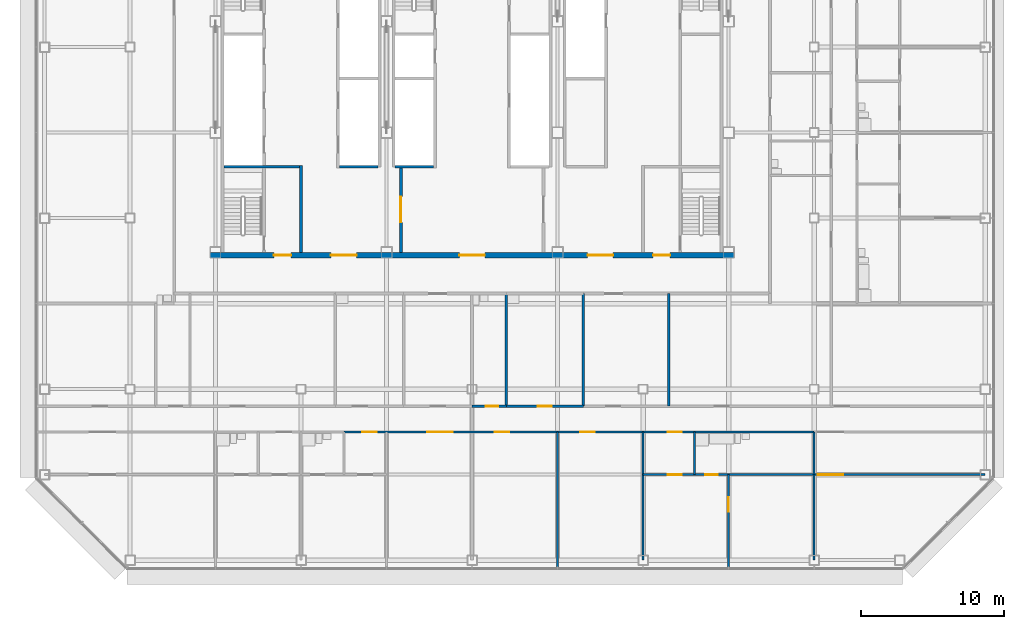
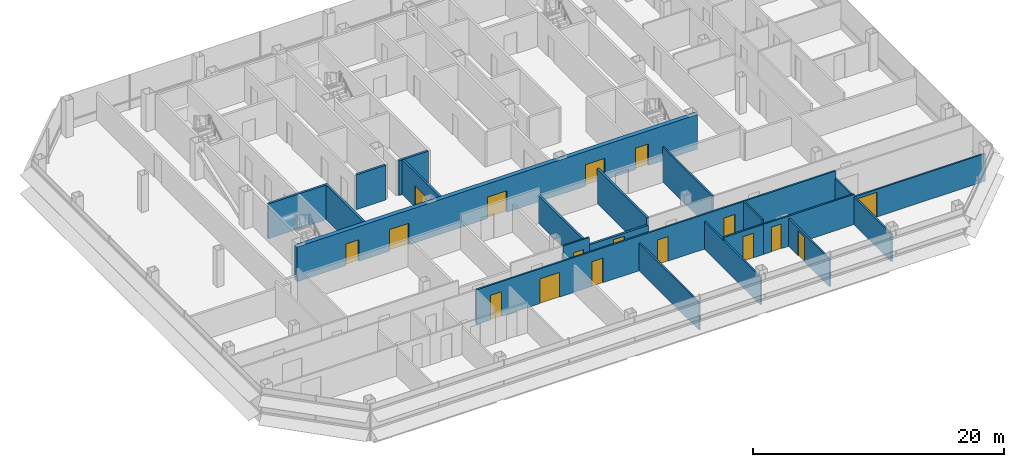
# One storey, part 20 of 26: 22 walls, 17 doors, 17 openings.
"""IFC4 building model written with IfcOpenShell, lengths in metres."""

from ifc_helpers import new_model, si_unit, direction, frame, frame_2d, origin, place, context, subcontext, project, spatial, rectangle, extrude, material, layer, layer_set, type_object, element, fill, save


model = new_model("IFC4")

# Units and contexts
model_context = context("Model", 3, precision=1e-05, world=origin(), true_north=direction((0.0, 1.0)))
body_context = subcontext(model_context, "Body", "Model", "MODEL_VIEW")
ifc_project = project(units=[si_unit("LENGTHUNIT", "METRE"), si_unit("AREAUNIT", "SQUARE_METRE"), si_unit("VOLUMEUNIT", "CUBIC_METRE"), si_unit("PLANEANGLEUNIT", "RADIAN"), si_unit("MASSUNIT", "GRAM", prefix="KILO")], contexts=[model_context])

# Site, building, storey
site_placement = place(None, origin())
site = spatial("IfcSite", under=ifc_project, at=site_placement, CompositionType="ELEMENT")
building_placement = place(site_placement, origin())
building = spatial("IfcBuilding", under=site, at=building_placement, Name="Sorahane Residences", CompositionType="ELEMENT")
storey_placement = place(building_placement, frame((0.0, 0.0, 158.199951171875)))
storey = spatial("IfcBuildingStorey", under=building, at=storey_placement, Name="L36", CompositionType="ELEMENT", Elevation=158.199951171875)

# Walls
ifc_material_1 = material(Name="Concrete C30", Category="concrete")
ifc_layer_1 = layer(ifc_material_1, 0.199951171875)
ifc_layer_set_1 = layer_set([ifc_layer_1], Name="Front room wall 200 EI 120")
wall_type_1 = type_object("IfcWallType", Name="Front room wall 200 EI 120", PredefinedType="PARTITIONING", material=ifc_layer_set_1)
wall_1_placement = place(storey_placement, frame((12.0, 21.60009765625, 0.0), z_axis=(0.0, 0.0, 1.0), x_axis=(0.0, 1.0, 0.0)))
element("IfcWall", 1, at=wall_1_placement, inside=storey, type_object=wall_type_1, Name="L36 front room wall", PredefinedType="PARTITIONING", context=body_context, shape_type="SweptSolid", body=[
    extrude(rectangle(XDim=6.099853515625, YDim=0.199951171875, at=frame_2d((3.0498046875, 0.0))), origin(), (0.0, 0.0, 1.0), 3.380126953125),
])
ifc_material_2 = material(Name="Concrete blockwork C20 wall", Category="masonry")
ifc_layer_2 = layer(ifc_material_2, 0.199951171875)
ifc_layer_set_2 = layer_set([ifc_layer_2], Name="Kitchen wall 200 EI 180")
wall_type_2 = type_object("IfcWallType", Name="Kitchen wall 200 EI 180", PredefinedType="SOLIDWALL", material=ifc_layer_set_2)
wall_2_placement = place(storey_placement, frame((26.39990234375, 10.800048828125, 0.0), z_axis=(0.0, 0.0, 1.0), x_axis=(0.0, 1.0, 0.0)))
element("IfcWall", 2, at=wall_2_placement, inside=storey, type_object=wall_type_2, Name="L36 kitchen wall", PredefinedType="SOLIDWALL", context=body_context, shape_type="SweptSolid", body=[
    extrude(rectangle(XDim=7.89990234375, YDim=0.199951171875, at=frame_2d((3.949951171875, 0.0))), origin(), (0.0, 0.0, 1.0), 2.679931640625),
])
wall_3_placement = place(storey_placement, frame((31.800048828125, 10.800048828125, 0.0), z_axis=(0.0, 0.0, 1.0), x_axis=(0.0, 1.0, 0.0)))
element("IfcWall", 3, at=wall_3_placement, inside=storey, type_object=wall_type_2, Name="L36 kitchen wall", PredefinedType="SOLIDWALL", context=body_context, shape_type="SweptSolid", body=[
    extrude(rectangle(XDim=7.89990234375, YDim=0.199951171875, at=frame_2d((3.949951171875, 0.0))), origin(), (0.0, 0.0, 1.0), 3.380126953125),
])

# Wall, opening, door
wall_4_placement = place(storey_placement, frame((26.39990234375, 10.800048828125, 0.0), z_axis=(0.0, 0.0, 1.0), x_axis=(1.0, 0.0, 0.0)))
wall_4 = element("IfcWall", 4, at=wall_4_placement, inside=storey, type_object=wall_type_2, Name="L36 kitchen wall", PredefinedType="SOLIDWALL", context=body_context, shape_type="SweptSolid", body=[
    extrude(rectangle(XDim=5.400146484375, YDim=0.199951171875, at=frame_2d((2.7001953125, 0.0))), origin(), (0.0, 0.0, 1.0), 2.679931640625),
])
opening_1_placement = place(wall_4_placement, frame((2.199951171875, 0.0, 0.0)))
opening_1 = element("IfcOpeningElement", 5, at=opening_1_placement, cuts=wall_4, Name="Opening L36-17", PredefinedType="OPENING", context=body_context, shape_type="SweptSolid", body=[
    extrude(rectangle(XDim=1.0, YDim=2.39990234375, at=frame_2d((0.5, 1.199951171875))), frame((0.0, 0.10986328125, 0.0), z_axis=(0.0, -1.0, 0.0), x_axis=(1.0, 0.0, 0.0)), (0.0, 0.0, 1.0), 0.219970703125),
])
ifc_material_3 = material(Name="Steel", Category="steel")
door_type_1 = type_object("IfcDoorType", Name="Kitchen door 1000x2400 FD120", OperationType="NOTDEFINED", PredefinedType="DOOR", material=ifc_material_3)
door_1_placement = place(opening_1_placement, origin())
door_1 = element("IfcDoor", 6, at=door_1_placement, inside=storey, type_object=door_type_1, Name="Kitchen door L36-17", OperationType="SINGLE_SWING_RIGHT", OverallHeight=2.39990234375, OverallWidth=1.0, PredefinedType="DOOR", context=body_context, shape_type="SweptSolid", body=[
    extrude(rectangle(XDim=1.0, YDim=2.39990234375, at=frame_2d((0.5, 1.199951171875))), frame((0.0, 0.02490234375, 0.0), z_axis=(0.0, -1.0, 0.0), x_axis=(1.0, 0.0, 0.0)), (0.0, 0.0, 1.0), 0.050048828125),
])
fill(opening_1, door_1)

# Walls
ifc_material_4 = material(Name="Concrete C30", Category="concrete")
ifc_layer_3 = layer(ifc_material_4, 0.199951171875)
ifc_layer_set_3 = layer_set([ifc_layer_3], Name="Lift shaft wall 200 EI 120")
wall_type_3 = type_object("IfcWallType", Name="Lift shaft wall 200 EI 120", PredefinedType="SOLIDWALL", material=ifc_layer_set_3)
for number, where, z_axis, x_axis, name in (
    (7, (14.699951171875, 27.60009765625, 0.0), (0.0, 0.0, 1.0), (1.0, 0.0, 0.0), "L36 lift shaft wall"),
    (8, (18.60009765625, 27.60009765625, 0.0), (0.0, 0.0, 1.0), (1.0, 0.0, 0.0), "L36 lift shaft wall"),
):
    element("IfcWall", number, at=place(storey_placement, frame(where, z_axis=z_axis, x_axis=x_axis)), inside=storey, type_object=wall_type_3, Name=name, PredefinedType="SOLIDWALL", context=body_context, shape_type="SweptSolid", body=[
        extrude(rectangle(XDim=2.699951171875, YDim=0.199951171875, at=frame_2d((1.35009765625, 0.0))), origin(), (0.0, 0.0, 1.0), 3.380126953125),
    ])
ifc_material_5 = material(Name="Gypsum board partition on steel studs", Category="steel")
ifc_layer_4 = layer(ifc_material_5, 0.14990234375)
ifc_layer_set_4 = layer_set([ifc_layer_4], Name="Partition 150 EI 90")
wall_type_4 = type_object("IfcWallType", Name="Partition 150 EI 90", PredefinedType="PARTITIONING", material=ifc_layer_set_4)
wall_5_placement = place(storey_placement, frame((30.0, -0.60009765625, 0.0), z_axis=(0.0, 0.0, 1.0), x_axis=(0.0, 1.0, 0.0)))
element("IfcWall", 9, at=wall_5_placement, inside=storey, type_object=wall_type_4, Name="L36 partition", PredefinedType="PARTITIONING", context=body_context, shape_type="SweptSolid", body=[
    extrude(rectangle(XDim=9.60009765625, YDim=0.14990234375, at=frame_2d((4.800048828125, 0.0))), origin(), (0.0, 0.0, 1.0), 2.679931640625),
])
wall_6_placement = place(storey_placement, frame((36.0, 0.0, 0.0), z_axis=(0.0, 0.0, 1.0), x_axis=(0.0, 1.0, 0.0)))
element("IfcWall", 10, at=wall_6_placement, inside=storey, type_object=wall_type_4, Name="L36 partition", PredefinedType="PARTITIONING", context=body_context, shape_type="SweptSolid", body=[
    extrude(rectangle(XDim=9.0, YDim=0.14990234375, at=frame_2d((4.5, 0.0))), origin(), (0.0, 0.0, 1.0), 2.679931640625),
])
wall_7_placement = place(storey_placement, frame((37.800048828125, 10.800048828125, 0.0), z_axis=(0.0, 0.0, 1.0), x_axis=(0.0, 1.0, 0.0)))
element("IfcWall", 11, at=wall_7_placement, inside=storey, type_object=wall_type_4, Name="L36 partition", PredefinedType="PARTITIONING", context=body_context, shape_type="SweptSolid", body=[
    extrude(rectangle(XDim=7.89990234375, YDim=0.14990234375, at=frame_2d((3.949951171875, 0.0))), origin(), (0.0, 0.0, 1.0), 3.380126953125),
])

# Wall, opening, door
wall_8_placement = place(storey_placement, frame((42.0, -0.60009765625, 0.0), z_axis=(0.0, 0.0, 1.0), x_axis=(0.0, 1.0, 0.0)))
wall_8 = element("IfcWall", 12, at=wall_8_placement, inside=storey, type_object=wall_type_4, Name="L36 partition", PredefinedType="PARTITIONING", context=body_context, shape_type="SweptSolid", body=[
    extrude(rectangle(XDim=6.60009765625, YDim=0.14990234375, at=frame_2d((3.300048828125, 0.0))), origin(), (0.0, 0.0, 1.0), 2.679931640625),
])
opening_2_placement = place(wall_8_placement, frame((4.0, 0.0, 0.0)))
opening_2 = element("IfcOpeningElement", 13, at=opening_2_placement, cuts=wall_8, Name="Opening L36-25", PredefinedType="OPENING", context=body_context, shape_type="SweptSolid", body=[
    extrude(rectangle(XDim=1.0, YDim=2.39990234375, at=frame_2d((0.5, 1.199951171875))), frame((0.0, 0.0849609375, 0.0), z_axis=(0.0, -1.0, 0.0), x_axis=(1.0, 0.0, 0.0)), (0.0, 0.0, 1.0), 0.169921875),
])
ifc_material_6 = material(Name="Timber veneered fire door", Category="wood")
door_type_2 = type_object("IfcDoorType", Name="Room door 1000x2400 FD30", OperationType="NOTDEFINED", PredefinedType="DOOR", material=ifc_material_6)
door_2_placement = place(opening_2_placement, frame((1.0, 0.0, 0.0), z_axis=(0.0, 0.0, 1.0), x_axis=(-1.0, 0.0, 0.0)))
door_2 = element("IfcDoor", 14, at=door_2_placement, inside=storey, type_object=door_type_2, Name="Room door L36-25", OperationType="SINGLE_SWING_RIGHT", OverallHeight=2.39990234375, OverallWidth=1.0, PredefinedType="DOOR", context=body_context, shape_type="SweptSolid", body=[
    extrude(rectangle(XDim=1.0, YDim=2.39990234375, at=frame_2d((0.5, 1.199951171875))), frame((0.0, 0.02490234375, 0.0), z_axis=(0.0, -1.0, 0.0), x_axis=(1.0, 0.0, 0.0)), (0.0, 0.0, 1.0), 0.050048828125),
])
fill(opening_2, door_2)

# Wall
wall_9_placement = place(storey_placement, frame((48.0, 0.0, 0.0), z_axis=(0.0, 0.0, 1.0), x_axis=(0.0, 1.0, 0.0)))
element("IfcWall", 15, at=wall_9_placement, inside=storey, type_object=wall_type_4, Name="L36 partition", PredefinedType="PARTITIONING", context=body_context, shape_type="SweptSolid", body=[
    extrude(rectangle(XDim=6.0, YDim=0.14990234375, at=frame_2d((3.0, 0.0))), origin(), (0.0, 0.0, 1.0), 2.679931640625),
])

# Wall, opening, door
wall_10_placement = place(storey_placement, frame((36.0, 6.0, 0.0), z_axis=(0.0, 0.0, 1.0), x_axis=(1.0, 0.0, 0.0)))
wall_10 = element("IfcWall", 16, at=wall_10_placement, inside=storey, type_object=wall_type_4, Name="L36 partition", PredefinedType="PARTITIONING", context=body_context, shape_type="SweptSolid", body=[
    extrude(rectangle(XDim=3.60009765625, YDim=0.14990234375, at=frame_2d((1.800048828125, 0.0))), origin(), (0.0, 0.0, 1.0), 2.929931640625),
])
opening_3_placement = place(wall_10_placement, frame((1.719970703125, 0.0, 0.0)))
opening_3 = element("IfcOpeningElement", 17, at=opening_3_placement, cuts=wall_10, Name="Opening L36-24", PredefinedType="OPENING", context=body_context, shape_type="SweptSolid", body=[
    extrude(rectangle(XDim=1.0, YDim=2.39990234375, at=frame_2d((0.5, 1.199951171875))), frame((0.0, 0.0849609375, 0.0), z_axis=(0.0, -1.0, 0.0), x_axis=(1.0, 0.0, 0.0)), (0.0, 0.0, 1.0), 0.169921875),
])
door_3_placement = place(opening_3_placement, frame((1.0, 0.0, 0.0), z_axis=(0.0, 0.0, 1.0), x_axis=(-1.0, 0.0, 0.0)))
door_3 = element("IfcDoor", 18, at=door_3_placement, inside=storey, type_object=door_type_2, Name="Room door L36-24", OperationType="SINGLE_SWING_RIGHT", OverallHeight=2.39990234375, OverallWidth=1.0, PredefinedType="DOOR", context=body_context, shape_type="SweptSolid", body=[
    extrude(rectangle(XDim=1.0, YDim=2.39990234375, at=frame_2d((0.5, 1.199951171875))), frame((0.0, 0.02490234375, 0.0), z_axis=(0.0, -1.0, 0.0), x_axis=(1.0, 0.0, 0.0)), (0.0, 0.0, 1.0), 0.050048828125),
])
fill(opening_3, door_3)

wall_11_placement = place(storey_placement, frame((48.0, 6.0, 0.0), z_axis=(0.0, 0.0, 1.0), x_axis=(1.0, 0.0, 0.0)))
wall_11 = element("IfcWall", 19, at=wall_11_placement, inside=storey, type_object=wall_type_4, Name="L36 partition", PredefinedType="PARTITIONING", context=body_context, shape_type="SweptSolid", body=[
    extrude(rectangle(XDim=12.0, YDim=0.14990234375, at=frame_2d((6.0, 0.0))), origin(), (0.0, 0.0, 1.0), 2.679931640625),
])
opening_4_placement = place(wall_11_placement, frame((0.25, 0.0, 0.0)))
opening_4 = element("IfcOpeningElement", 20, at=opening_4_placement, cuts=wall_11, Name="Opening L36-27", PredefinedType="OPENING", context=body_context, shape_type="SweptSolid", body=[
    extrude(rectangle(XDim=1.800048828125, YDim=2.39990234375, at=frame_2d((0.89990234375, 1.199951171875))), frame((0.0, 0.0849609375, 0.0), z_axis=(0.0, -1.0, 0.0), x_axis=(1.0, 0.0, 0.0)), (0.0, 0.0, 1.0), 0.169921875),
])
ifc_material_7 = material(Name="Timber veneered fire door", Category="wood")
door_type_3 = type_object("IfcDoorType", Name="Double door 1800x2400 FD30", OperationType="NOTDEFINED", PredefinedType="DOOR", material=ifc_material_7)
door_4_placement = place(opening_4_placement, frame((1.800048828125, 0.0, 0.0), z_axis=(0.0, 0.0, 1.0), x_axis=(-1.0, 0.0, 0.0)))
door_4 = element("IfcDoor", 21, at=door_4_placement, inside=storey, type_object=door_type_3, Name="Double door L36-27", OperationType="SINGLE_SWING_RIGHT", OverallHeight=2.39990234375, OverallWidth=1.800048828125, PredefinedType="DOOR", context=body_context, shape_type="SweptSolid", body=[
    extrude(rectangle(XDim=1.800048828125, YDim=2.39990234375, at=frame_2d((0.89990234375, 1.199951171875))), frame((0.0, 0.02490234375, 0.0), z_axis=(0.0, -1.0, 0.0), x_axis=(1.0, 0.0, 0.0)), (0.0, 0.0, 1.0), 0.050048828125),
])
fill(opening_4, door_4)

# Wall, openings, doors
wall_12_placement = place(storey_placement, frame((15.0, 9.0, 0.0), z_axis=(0.0, 0.0, 1.0), x_axis=(1.0, 0.0, 0.0)))
wall_12 = element("IfcWall", 22, at=wall_12_placement, inside=storey, type_object=wall_type_4, Name="L36 partition", PredefinedType="PARTITIONING", context=body_context, shape_type="SweptSolid", body=[
    extrude(rectangle(XDim=24.60009765625, YDim=0.14990234375, at=frame_2d((12.300048828125, 0.0))), origin(), (0.0, 0.0, 1.0), 3.380126953125),
])
opening_5_placement = place(wall_12_placement, frame((1.300048828125, 0.0, 0.0)))
opening_5 = element("IfcOpeningElement", 23, at=opening_5_placement, cuts=wall_12, Name="Opening L36-08", PredefinedType="OPENING", context=body_context, shape_type="SweptSolid", body=[
    extrude(rectangle(XDim=1.0, YDim=2.39990234375, at=frame_2d((0.5, 1.199951171875))), frame((0.0, 0.0849609375, 0.0), z_axis=(0.0, -1.0, 0.0), x_axis=(1.0, 0.0, 0.0)), (0.0, 0.0, 1.0), 0.169921875),
])
opening_6_placement = place(wall_12_placement, frame((5.840087890625, 0.0, 0.0)))
opening_6 = element("IfcOpeningElement", 24, at=opening_6_placement, cuts=wall_12, Name="Opening L36-09", PredefinedType="OPENING", context=body_context, shape_type="SweptSolid", body=[
    extrude(rectangle(XDim=1.800048828125, YDim=2.39990234375, at=frame_2d((0.89990234375, 1.199951171875))), frame((0.0, 0.0849609375, 0.0), z_axis=(0.0, -1.0, 0.0), x_axis=(1.0, 0.0, 0.0)), (0.0, 0.0, 1.0), 0.169921875),
])
opening_7_placement = place(wall_12_placement, frame((10.60009765625, 0.0, 0.0)))
opening_7 = element("IfcOpeningElement", 25, at=opening_7_placement, cuts=wall_12, Name="Opening L36-20", PredefinedType="OPENING", context=body_context, shape_type="SweptSolid", body=[
    extrude(rectangle(XDim=1.0, YDim=2.39990234375, at=frame_2d((0.5, 1.199951171875))), frame((0.0, 0.0849609375, 0.0), z_axis=(0.0, -1.0, 0.0), x_axis=(1.0, 0.0, 0.0)), (0.0, 0.0, 1.0), 0.169921875),
])
opening_8_placement = place(wall_12_placement, frame((16.60009765625, 0.0, 0.0)))
opening_8 = element("IfcOpeningElement", 26, at=opening_8_placement, cuts=wall_12, Name="Opening L36-21", PredefinedType="OPENING", context=body_context, shape_type="SweptSolid", body=[
    extrude(rectangle(XDim=1.0, YDim=2.39990234375, at=frame_2d((0.5, 1.199951171875))), frame((0.0, 0.0849609375, 0.0), z_axis=(0.0, -1.0, 0.0), x_axis=(1.0, 0.0, 0.0)), (0.0, 0.0, 1.0), 0.169921875),
])
opening_9_placement = place(wall_12_placement, frame((22.719970703125, 0.0, 0.0)))
opening_9 = element("IfcOpeningElement", 27, at=opening_9_placement, cuts=wall_12, Name="Opening L36-22", PredefinedType="OPENING", context=body_context, shape_type="SweptSolid", body=[
    extrude(rectangle(XDim=1.0, YDim=2.39990234375, at=frame_2d((0.5, 1.199951171875))), frame((0.0, 0.0849609375, 0.0), z_axis=(0.0, -1.0, 0.0), x_axis=(1.0, 0.0, 0.0)), (0.0, 0.0, 1.0), 0.169921875),
])
door_5_placement = place(opening_6_placement, frame((1.800048828125, 0.0, 0.0), z_axis=(0.0, 0.0, 1.0), x_axis=(-1.0, 0.0, 0.0)))
door_5 = element("IfcDoor", 28, at=door_5_placement, inside=storey, type_object=door_type_3, Name="Double door L36-09", OperationType="SINGLE_SWING_RIGHT", OverallHeight=2.39990234375, OverallWidth=1.800048828125, PredefinedType="DOOR", context=body_context, shape_type="SweptSolid", body=[
    extrude(rectangle(XDim=1.800048828125, YDim=2.39990234375, at=frame_2d((0.89990234375, 1.199951171875))), frame((0.0, 0.02490234375, 0.0), z_axis=(0.0, -1.0, 0.0), x_axis=(1.0, 0.0, 0.0)), (0.0, 0.0, 1.0), 0.050048828125),
])
fill(opening_6, door_5)
door_6_placement = place(opening_5_placement, frame((1.0, 0.0, 0.0), z_axis=(0.0, 0.0, 1.0), x_axis=(-1.0, 0.0, 0.0)))
door_6 = element("IfcDoor", 29, at=door_6_placement, inside=storey, type_object=door_type_2, Name="Room door L36-08", OperationType="SINGLE_SWING_LEFT", OverallHeight=2.39990234375, OverallWidth=1.0, PredefinedType="DOOR", context=body_context, shape_type="SweptSolid", body=[
    extrude(rectangle(XDim=1.0, YDim=2.39990234375, at=frame_2d((0.5, 1.199951171875))), frame((0.0, 0.02490234375, 0.0), z_axis=(0.0, -1.0, 0.0), x_axis=(1.0, 0.0, 0.0)), (0.0, 0.0, 1.0), 0.050048828125),
])
fill(opening_5, door_6)
door_7_placement = place(opening_7_placement, frame((1.0, 0.0, 0.0), z_axis=(0.0, 0.0, 1.0), x_axis=(-1.0, 0.0, 0.0)))
door_7 = element("IfcDoor", 30, at=door_7_placement, inside=storey, type_object=door_type_2, Name="Room door L36-20", OperationType="SINGLE_SWING_RIGHT", OverallHeight=2.39990234375, OverallWidth=1.0, PredefinedType="DOOR", context=body_context, shape_type="SweptSolid", body=[
    extrude(rectangle(XDim=1.0, YDim=2.39990234375, at=frame_2d((0.5, 1.199951171875))), frame((0.0, 0.02490234375, 0.0), z_axis=(0.0, -1.0, 0.0), x_axis=(1.0, 0.0, 0.0)), (0.0, 0.0, 1.0), 0.050048828125),
])
fill(opening_7, door_7)
door_8_placement = place(opening_8_placement, frame((1.0, 0.0, 0.0), z_axis=(0.0, 0.0, 1.0), x_axis=(-1.0, 0.0, 0.0)))
door_8 = element("IfcDoor", 31, at=door_8_placement, inside=storey, type_object=door_type_2, Name="Room door L36-21", OperationType="SINGLE_SWING_LEFT", OverallHeight=2.39990234375, OverallWidth=1.0, PredefinedType="DOOR", context=body_context, shape_type="SweptSolid", body=[
    extrude(rectangle(XDim=1.0, YDim=2.39990234375, at=frame_2d((0.5, 1.199951171875))), frame((0.0, 0.02490234375, 0.0), z_axis=(0.0, -1.0, 0.0), x_axis=(1.0, 0.0, 0.0)), (0.0, 0.0, 1.0), 0.050048828125),
])
fill(opening_8, door_8)
door_9_placement = place(opening_9_placement, frame((1.0, 0.0, 0.0), z_axis=(0.0, 0.0, 1.0), x_axis=(-1.0, 0.0, 0.0)))
door_9 = element("IfcDoor", 32, at=door_9_placement, inside=storey, type_object=door_type_2, Name="Room door L36-22", OperationType="SINGLE_SWING_LEFT", OverallHeight=2.39990234375, OverallWidth=1.0, PredefinedType="DOOR", context=body_context, shape_type="SweptSolid", body=[
    extrude(rectangle(XDim=1.0, YDim=2.39990234375, at=frame_2d((0.5, 1.199951171875))), frame((0.0, 0.02490234375, 0.0), z_axis=(0.0, -1.0, 0.0), x_axis=(1.0, 0.0, 0.0)), (0.0, 0.0, 1.0), 0.050048828125),
])
fill(opening_9, door_9)

# Wall, opening, door
ifc_material_8 = material(Name="Concrete C30", Category="concrete")
ifc_layer_5 = layer(ifc_material_8, 0.199951171875)
ifc_layer_set_5 = layer_set([ifc_layer_5], Name="Service room partition 200 EI 60")
wall_type_5 = type_object("IfcWallType", Name="Service room partition 200 EI 60", PredefinedType="PARTITIONING", material=ifc_layer_set_5)
wall_13_placement = place(storey_placement, frame((19.0, 21.60009765625, 0.0), z_axis=(0.0, 0.0, 1.0), x_axis=(0.0, 1.0, 0.0)))
wall_13 = element("IfcWall", 33, at=wall_13_placement, inside=storey, type_object=wall_type_5, Name="L36 service room wall", PredefinedType="PARTITIONING", context=body_context, shape_type="SweptSolid", body=[
    extrude(rectangle(XDim=6.0, YDim=0.199951171875, at=frame_2d((3.0, 0.0))), origin(), (0.0, 0.0, 1.0), 3.380126953125),
])
opening_10_placement = place(wall_13_placement, frame((2.10009765625, 0.0, 0.0)))
opening_10 = element("IfcOpeningElement", 34, at=opening_10_placement, cuts=wall_13, Name="Opening L36-C02", PredefinedType="OPENING", context=body_context, shape_type="SweptSolid", body=[
    extrude(rectangle(XDim=1.800048828125, YDim=2.10009765625, at=frame_2d((0.89990234375, 1.050048828125))), frame((0.0, 0.10986328125, 0.0), z_axis=(0.0, -1.0, 0.0), x_axis=(1.0, 0.0, 0.0)), (0.0, 0.0, 1.0), 0.219970703125),
])
ifc_material_9 = material(Name="Steel", Category="steel")
door_type_4 = type_object("IfcDoorType", Name="Waiting hall door 1800x2100 FD60", OperationType="NOTDEFINED", PredefinedType="DOOR", material=ifc_material_9)
door_10_placement = place(opening_10_placement, origin())
door_10 = element("IfcDoor", 35, at=door_10_placement, inside=storey, type_object=door_type_4, Name="Waiting hall door Residents' waiting hall west L36", OperationType="SINGLE_SWING_LEFT", OverallHeight=2.10009765625, OverallWidth=1.800048828125, PredefinedType="DOOR", context=body_context, shape_type="SweptSolid", body=[
    extrude(rectangle(XDim=1.800048828125, YDim=2.10009765625, at=frame_2d((0.89990234375, 1.050048828125))), frame((0.0, 0.02490234375, 0.0), z_axis=(0.0, -1.0, 0.0), x_axis=(1.0, 0.0, 0.0)), (0.0, 0.0, 1.0), 0.050048828125),
])
fill(opening_10, door_10)

# Wall
ifc_material_10 = material(Name="Concrete C30", Category="concrete")
ifc_layer_6 = layer(ifc_material_10, 0.199951171875)
ifc_layer_set_6 = layer_set([ifc_layer_6], Name="Stair enclosure wall 200 EI 120")
wall_type_6 = type_object("IfcWallType", Name="Stair enclosure wall 200 EI 120", PredefinedType="SOLIDWALL", material=ifc_layer_set_6)
wall_14_placement = place(storey_placement, frame((6.60009765625, 27.60009765625, 0.0), z_axis=(0.0, 0.0, 1.0), x_axis=(1.0, 0.0, 0.0)))
element("IfcWall", 36, at=wall_14_placement, inside=storey, type_object=wall_type_6, Name="L36 stair enclosure wall", PredefinedType="SOLIDWALL", context=body_context, shape_type="SweptSolid", body=[
    extrude(rectangle(XDim=5.2998046875, YDim=0.199951171875, at=frame_2d((2.64990234375, 0.0))), origin(), (0.0, 0.0, 1.0), 3.380126953125),
])

# Wall, openings, doors
ifc_material_11 = material(Name="Concrete C30", Category="concrete")
ifc_layer_7 = layer(ifc_material_11, 0.39990234375)
ifc_layer_set_7 = layer_set([ifc_layer_7], Name="Waiting hall wall 400 EI 120")
wall_type_7 = type_object("IfcWallType", Name="Waiting hall wall 400 EI 120", PredefinedType="SOLIDWALL", material=ifc_layer_set_7)
wall_15_placement = place(storey_placement, frame((5.60009765625, 21.39990234375, 0.0), z_axis=(0.0, 0.0, 1.0), x_axis=(1.0, 0.0, 0.0)))
wall_15 = element("IfcWall", 37, at=wall_15_placement, inside=storey, type_object=wall_type_7, Name="L36 waiting hall wall", PredefinedType="SOLIDWALL", context=body_context, shape_type="SweptSolid", body=[
    extrude(rectangle(XDim=36.7998046875, YDim=0.39990234375, at=frame_2d((18.39990234375, 0.0))), origin(), (0.0, 0.0, 1.0), 3.380126953125),
])
opening_11_placement = place(wall_15_placement, frame((8.5, 0.0, 0.0)))
opening_11 = element("IfcOpeningElement", 38, at=opening_11_placement, cuts=wall_15, Name="Opening L36-C01", PredefinedType="OPENING", context=body_context, shape_type="SweptSolid", body=[
    extrude(rectangle(XDim=1.800048828125, YDim=2.10009765625, at=frame_2d((0.89990234375, 1.050048828125))), frame((0.0, 0.2099609375, 0.0), z_axis=(0.0, -1.0, 0.0), x_axis=(1.0, 0.0, 0.0)), (0.0, 0.0, 1.0), 0.419921875),
])
opening_12_placement = place(wall_15_placement, frame((17.5, 0.0, 0.0)))
opening_12 = element("IfcOpeningElement", 39, at=opening_12_placement, cuts=wall_15, Name="Opening L36-C03", PredefinedType="OPENING", context=body_context, shape_type="SweptSolid", body=[
    extrude(rectangle(XDim=1.800048828125, YDim=2.10009765625, at=frame_2d((0.89990234375, 1.050048828125))), frame((0.0, 0.2099609375, 0.0), z_axis=(0.0, -1.0, 0.0), x_axis=(1.0, 0.0, 0.0)), (0.0, 0.0, 1.0), 0.419921875),
])
opening_13_placement = place(wall_15_placement, frame((26.5, 0.0, 0.0)))
opening_13 = element("IfcOpeningElement", 40, at=opening_13_placement, cuts=wall_15, Name="Opening L36-C05", PredefinedType="OPENING", context=body_context, shape_type="SweptSolid", body=[
    extrude(rectangle(XDim=1.800048828125, YDim=2.10009765625, at=frame_2d((0.89990234375, 1.050048828125))), frame((0.0, 0.2099609375, 0.0), z_axis=(0.0, -1.0, 0.0), x_axis=(1.0, 0.0, 0.0)), (0.0, 0.0, 1.0), 0.419921875),
])
opening_14_placement = place(wall_15_placement, frame((4.5, 0.0, 0.0)))
opening_14 = element("IfcOpeningElement", 41, at=opening_14_placement, cuts=wall_15, Name="Opening L36-C06", PredefinedType="OPENING", context=body_context, shape_type="SweptSolid", body=[
    extrude(rectangle(XDim=1.199951171875, YDim=2.10009765625, at=frame_2d((0.60009765625, 1.050048828125))), frame((0.0, 0.2099609375, 0.0), z_axis=(0.0, -1.0, 0.0), x_axis=(1.0, 0.0, 0.0)), (0.0, 0.0, 1.0), 0.419921875),
])
opening_15_placement = place(wall_15_placement, frame((31.10009765625, 0.0, 0.0)))
opening_15 = element("IfcOpeningElement", 42, at=opening_15_placement, cuts=wall_15, Name="Opening L36-C07", PredefinedType="OPENING", context=body_context, shape_type="SweptSolid", body=[
    extrude(rectangle(XDim=1.199951171875, YDim=2.10009765625, at=frame_2d((0.60009765625, 1.050048828125))), frame((0.0, 0.2099609375, 0.0), z_axis=(0.0, -1.0, 0.0), x_axis=(1.0, 0.0, 0.0)), (0.0, 0.0, 1.0), 0.419921875),
])
ifc_material_12 = material(Name="Steel", Category="steel")
door_type_5 = type_object("IfcDoorType", Name="Stair front room door 1200x2100 FD120", OperationType="NOTDEFINED", PredefinedType="DOOR", material=ifc_material_12)
door_11_placement = place(opening_14_placement, frame((1.199951171875, 0.0, 0.0), z_axis=(0.0, 0.0, 1.0), x_axis=(-1.0, 0.0, 0.0)))
door_11 = element("IfcDoor", 43, at=door_11_placement, inside=storey, type_object=door_type_5, Name="Stair front room door Stair S4 front room L36", OperationType="SINGLE_SWING_LEFT", OverallHeight=2.10009765625, OverallWidth=1.199951171875, PredefinedType="DOOR", context=body_context, shape_type="SweptSolid", body=[
    extrude(rectangle(XDim=1.199951171875, YDim=2.10009765625, at=frame_2d((0.60009765625, 1.050048828125))), frame((0.0, 0.02490234375, 0.0), z_axis=(0.0, -1.0, 0.0), x_axis=(1.0, 0.0, 0.0)), (0.0, 0.0, 1.0), 0.050048828125),
])
fill(opening_14, door_11)
door_12_placement = place(opening_15_placement, frame((1.199951171875, 0.0, 0.0), z_axis=(0.0, 0.0, 1.0), x_axis=(-1.0, 0.0, 0.0)))
door_12 = element("IfcDoor", 44, at=door_12_placement, inside=storey, type_object=door_type_5, Name="Stair front room door Stair S5 front room L36", OperationType="SINGLE_SWING_LEFT", OverallHeight=2.10009765625, OverallWidth=1.199951171875, PredefinedType="DOOR", context=body_context, shape_type="SweptSolid", body=[
    extrude(rectangle(XDim=1.199951171875, YDim=2.10009765625, at=frame_2d((0.60009765625, 1.050048828125))), frame((0.0, 0.02490234375, 0.0), z_axis=(0.0, -1.0, 0.0), x_axis=(1.0, 0.0, 0.0)), (0.0, 0.0, 1.0), 0.050048828125),
])
fill(opening_15, door_12)
door_13_placement = place(opening_11_placement, frame((1.800048828125, 0.0, 0.0), z_axis=(0.0, 0.0, 1.0), x_axis=(-1.0, 0.0, 0.0)))
door_13 = element("IfcDoor", 45, at=door_13_placement, inside=storey, type_object=door_type_4, Name="Waiting hall door Residents' waiting hall west L36", OperationType="SINGLE_SWING_LEFT", OverallHeight=2.10009765625, OverallWidth=1.800048828125, PredefinedType="DOOR", context=body_context, shape_type="SweptSolid", body=[
    extrude(rectangle(XDim=1.800048828125, YDim=2.10009765625, at=frame_2d((0.89990234375, 1.050048828125))), frame((0.0, 0.02490234375, 0.0), z_axis=(0.0, -1.0, 0.0), x_axis=(1.0, 0.0, 0.0)), (0.0, 0.0, 1.0), 0.050048828125),
])
fill(opening_11, door_13)
door_14_placement = place(opening_12_placement, frame((1.800048828125, 0.0, 0.0), z_axis=(0.0, 0.0, 1.0), x_axis=(-1.0, 0.0, 0.0)))
door_14 = element("IfcDoor", 46, at=door_14_placement, inside=storey, type_object=door_type_4, Name="Waiting hall door Residents' waiting hall centre L36", OperationType="SINGLE_SWING_LEFT", OverallHeight=2.10009765625, OverallWidth=1.800048828125, PredefinedType="DOOR", context=body_context, shape_type="SweptSolid", body=[
    extrude(rectangle(XDim=1.800048828125, YDim=2.10009765625, at=frame_2d((0.89990234375, 1.050048828125))), frame((0.0, 0.02490234375, 0.0), z_axis=(0.0, -1.0, 0.0), x_axis=(1.0, 0.0, 0.0)), (0.0, 0.0, 1.0), 0.050048828125),
])
fill(opening_12, door_14)
door_15_placement = place(opening_13_placement, frame((1.800048828125, 0.0, 0.0), z_axis=(0.0, 0.0, 1.0), x_axis=(-1.0, 0.0, 0.0)))
door_15 = element("IfcDoor", 47, at=door_15_placement, inside=storey, type_object=door_type_4, Name="Waiting hall door Residents' waiting hall east L36", OperationType="SINGLE_SWING_LEFT", OverallHeight=2.10009765625, OverallWidth=1.800048828125, PredefinedType="DOOR", context=body_context, shape_type="SweptSolid", body=[
    extrude(rectangle(XDim=1.800048828125, YDim=2.10009765625, at=frame_2d((0.89990234375, 1.050048828125))), frame((0.0, 0.02490234375, 0.0), z_axis=(0.0, -1.0, 0.0), x_axis=(1.0, 0.0, 0.0)), (0.0, 0.0, 1.0), 0.050048828125),
])
fill(opening_13, door_15)

# Walls
ifc_material_13 = material(Name="Gypsum board partition on steel studs", Category="steel")
ifc_layer_8 = layer(ifc_material_13, 0.14990234375)
ifc_layer_set_8 = layer_set([ifc_layer_8], Name="Wet wall 150 EI 90")
wall_type_8 = type_object("IfcWallType", Name="Wet wall 150 EI 90", PredefinedType="PARTITIONING", material=ifc_layer_set_8)
wall_16_placement = place(storey_placement, frame((39.60009765625, 6.0, 0.0), z_axis=(0.0, 0.0, 1.0), x_axis=(0.0, 1.0, 0.0)))
element("IfcWall", 48, at=wall_16_placement, inside=storey, type_object=wall_type_8, Name="L36 wet wall", PredefinedType="PARTITIONING", context=body_context, shape_type="SweptSolid", body=[
    extrude(rectangle(XDim=3.0, YDim=0.14990234375, at=frame_2d((1.5, 0.0))), origin(), (0.0, 0.0, 1.0), 3.380126953125),
])
wall_17_placement = place(storey_placement, frame((48.0, 6.0, 0.0), z_axis=(0.0, 0.0, 1.0), x_axis=(0.0, 1.0, 0.0)))
element("IfcWall", 49, at=wall_17_placement, inside=storey, type_object=wall_type_8, Name="L36 wet wall", PredefinedType="PARTITIONING", context=body_context, shape_type="SweptSolid", body=[
    extrude(rectangle(XDim=3.0, YDim=0.14990234375, at=frame_2d((1.5, 0.0))), origin(), (0.0, 0.0, 1.0), 2.679931640625),
])

# Wall, opening, door
wall_18_placement = place(storey_placement, frame((24.0, 10.800048828125, 0.0), z_axis=(0.0, 0.0, 1.0), x_axis=(1.0, 0.0, 0.0)))
wall_18 = element("IfcWall", 50, at=wall_18_placement, inside=storey, type_object=wall_type_8, Name="L36 wet wall", PredefinedType="PARTITIONING", context=body_context, shape_type="SweptSolid", body=[
    extrude(rectangle(XDim=2.39990234375, YDim=0.14990234375, at=frame_2d((1.199951171875, 0.0))), origin(), (0.0, 0.0, 1.0), 3.380126953125),
])
opening_16_placement = place(wall_18_placement, frame((0.949951171875, 0.0, 0.0)))
opening_16 = element("IfcOpeningElement", 51, at=opening_16_placement, cuts=wall_18, Name="Opening L36-16", PredefinedType="OPENING", context=body_context, shape_type="SweptSolid", body=[
    extrude(rectangle(XDim=0.89990234375, YDim=2.39990234375, at=frame_2d((0.449951171875, 1.199951171875))), frame((0.0, 0.0849609375, 0.0), z_axis=(0.0, -1.0, 0.0), x_axis=(1.0, 0.0, 0.0)), (0.0, 0.0, 1.0), 0.169921875),
])
ifc_material_14 = material(Name="Timber veneered fire door", Category="wood")
door_type_6 = type_object("IfcDoorType", Name="Bathroom door 900x2400 FD30", OperationType="NOTDEFINED", PredefinedType="DOOR", material=ifc_material_14)
door_16_placement = place(opening_16_placement, frame((0.89990234375, 0.0, 0.0), z_axis=(0.0, 0.0, 1.0), x_axis=(-1.0, 0.0, 0.0)))
door_16 = element("IfcDoor", 52, at=door_16_placement, inside=storey, type_object=door_type_6, Name="Bathroom door L36-16", OperationType="SINGLE_SWING_RIGHT", OverallHeight=2.39990234375, OverallWidth=0.89990234375, PredefinedType="DOOR", context=body_context, shape_type="SweptSolid", body=[
    extrude(rectangle(XDim=0.89990234375, YDim=2.39990234375, at=frame_2d((0.449951171875, 1.199951171875))), frame((0.0, 0.02490234375, 0.0), z_axis=(0.0, -1.0, 0.0), x_axis=(1.0, 0.0, 0.0)), (0.0, 0.0, 1.0), 0.050048828125),
])
fill(opening_16, door_16)

wall_19_placement = place(storey_placement, frame((39.60009765625, 6.0, 0.0), z_axis=(0.0, 0.0, 1.0), x_axis=(1.0, 0.0, 0.0)))
wall_19 = element("IfcWall", 53, at=wall_19_placement, inside=storey, type_object=wall_type_8, Name="L36 wet wall", PredefinedType="PARTITIONING", context=body_context, shape_type="SweptSolid", body=[
    extrude(rectangle(XDim=8.39990234375, YDim=0.14990234375, at=frame_2d((4.199951171875, 0.0))), origin(), (0.0, 0.0, 1.0), 2.929931640625),
])
opening_17_placement = place(wall_19_placement, frame((0.75, 0.0, 0.0)))
opening_17 = element("IfcOpeningElement", 54, at=opening_17_placement, cuts=wall_19, Name="Opening L36-26", PredefinedType="OPENING", context=body_context, shape_type="SweptSolid", body=[
    extrude(rectangle(XDim=0.89990234375, YDim=2.39990234375, at=frame_2d((0.449951171875, 1.199951171875))), frame((0.0, 0.0849609375, 0.0), z_axis=(0.0, -1.0, 0.0), x_axis=(1.0, 0.0, 0.0)), (0.0, 0.0, 1.0), 0.169921875),
])
door_17_placement = place(opening_17_placement, frame((0.89990234375, 0.0, 0.0), z_axis=(0.0, 0.0, 1.0), x_axis=(-1.0, 0.0, 0.0)))
door_17 = element("IfcDoor", 55, at=door_17_placement, inside=storey, type_object=door_type_6, Name="Bathroom door L36-26", OperationType="SINGLE_SWING_RIGHT", OverallHeight=2.39990234375, OverallWidth=0.89990234375, PredefinedType="DOOR", context=body_context, shape_type="SweptSolid", body=[
    extrude(rectangle(XDim=0.89990234375, YDim=2.39990234375, at=frame_2d((0.449951171875, 1.199951171875))), frame((0.0, 0.02490234375, 0.0), z_axis=(0.0, -1.0, 0.0), x_axis=(1.0, 0.0, 0.0)), (0.0, 0.0, 1.0), 0.050048828125),
])
fill(opening_17, door_17)

# Wall
wall_20_placement = place(storey_placement, frame((39.60009765625, 9.0, 0.0), z_axis=(0.0, 0.0, 1.0), x_axis=(1.0, 0.0, 0.0)))
element("IfcWall", 56, at=wall_20_placement, inside=storey, type_object=wall_type_8, Name="L36 wet wall", PredefinedType="PARTITIONING", context=body_context, shape_type="SweptSolid", body=[
    extrude(rectangle(XDim=8.39990234375, YDim=0.14990234375, at=frame_2d((4.199951171875, 0.0))), origin(), (0.0, 0.0, 1.0), 3.380126953125),
])

save(model, "model.ifc")
